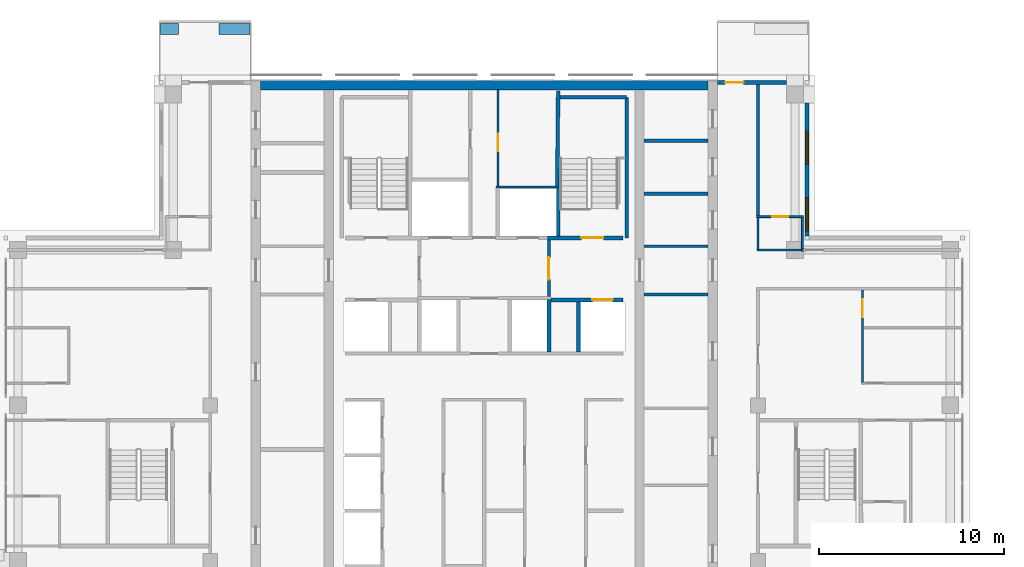
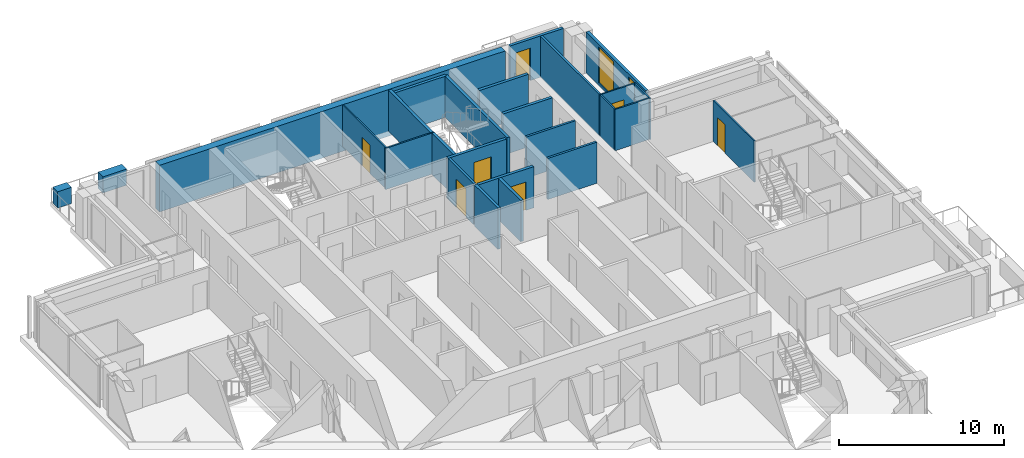
# One storey, part 14 of 18: 27 walls, 7 doors, 2 windows, 9 openings.
"""IFC4 building model written with IfcOpenShell, lengths in metres."""

import ifcopenshell
import ifcopenshell.guid

model = None  # the IFC model being written
_history = None  # IfcOwnerHistory: only IFC2X3 demands one
_inside = {}  # id of a spatial element -> (the spatial element, [elements in it])
_under = {}  # id of a project, library or spatial element -> (it, [spatial elements below it])
_declared = {}  # id of a project -> (the project, [libraries it declares])
_typed = {}  # id of a type object -> (the type object, [elements of that type])
_made_of = {}  # id of a material, layer set ... -> (it, [elements and type objects made of it])


def new_model(schema):
    """Start an empty IFC model of exactly this schema.

    Asked for "IFC4X3", IfcOpenShell would pick the latest addendum, in which some entities
    have other attributes; the version numbers below select the first issue.
    IFC2X3 requires an IfcOwnerHistory on every rooted entity: one is made here for all.
    """
    global model, _history
    if schema == "IFC4X3":
        model = ifcopenshell.file(schema_version=(4, 3, 0, 0))
    else:
        model = ifcopenshell.file(schema=schema)
    _inside.clear()
    _under.clear()
    _declared.clear()
    _typed.clear()
    _made_of.clear()
    _history = None
    if model.schema == "IFC2X3":
        org = make("IfcOrganization", Name="unknown")
        user = make(
            "IfcPersonAndOrganization",
            ThePerson=make("IfcPerson", FamilyName="unknown"),
            TheOrganization=org,
        )
        app = make(
            "IfcApplication",
            ApplicationDeveloper=org,
            Version="unknown",
            ApplicationFullName="unknown",
            ApplicationIdentifier="unknown",
        )
        _history = make(
            "IfcOwnerHistory",
            OwningUser=user,
            OwningApplication=app,
            ChangeAction="ADDED",
            CreationDate=0,
        )
    return model


def make(cls, **values):
    """One entity of the class cls with the attributes given. An attribute that is None is left unset."""
    return model.create_entity(
        cls, **{name: value for name, value in values.items() if value is not None}
    )


def rooted(cls, **values):
    """An entity with a GlobalId (a new one), such as an element, a storey or a relation."""
    return make(cls, GlobalId=ifcopenshell.guid.new(), OwnerHistory=_history, **values)


def si_unit(unit_type, name, prefix=None):
    """IfcSIUnit, for example si_unit("LENGTHUNIT", "METRE", prefix="MILLI")."""
    return make("IfcSIUnit", UnitType=unit_type, Prefix=prefix, Name=name)


def assignment(units):
    """IfcUnitAssignment: the units of a project."""
    return None if units is None else make("IfcUnitAssignment", Units=units)


def point(xyz):
    """IfcCartesianPoint."""
    return None if xyz is None else make("IfcCartesianPoint", Coordinates=xyz)


def direction(xyz):
    """IfcDirection."""
    return None if xyz is None else make("IfcDirection", DirectionRatios=xyz)


def frame(location, z_axis=None, x_axis=None):
    """IfcAxis2Placement3D, a coordinate frame: its origin and axes. An axis left out is left unset."""
    return make(
        "IfcAxis2Placement3D",
        Location=point(location),
        Axis=direction(z_axis),
        RefDirection=direction(x_axis),
    )


def frame_2d(location, x_axis=None):
    """IfcAxis2Placement2D, a coordinate frame in the plane: its origin and x axis."""
    return make(
        "IfcAxis2Placement2D", Location=point(location), RefDirection=direction(x_axis)
    )


def origin():
    """The frame at (0, 0, 0) with its axes left unset."""
    return frame((0.0, 0.0, 0.0))


def place(relative_to, where):
    """IfcLocalPlacement: puts the frame where relative to a parent placement (None: the world)."""
    return make(
        "IfcLocalPlacement", PlacementRelTo=relative_to, RelativePlacement=where
    )


def context(
    kind, dimensions, precision=None, world=None, true_north=None, identifier=None
):
    """IfcGeometricRepresentationContext, for example the 3D "Model" context."""
    return make(
        "IfcGeometricRepresentationContext",
        ContextIdentifier=identifier,
        ContextType=kind,
        CoordinateSpaceDimension=dimensions,
        Precision=precision,
        WorldCoordinateSystem=world,
        TrueNorth=true_north,
    )


def subcontext(parent, identifier, kind, view, scale=None):
    """IfcGeometricRepresentationSubContext, for example "Body" below "Model"."""
    return make(
        "IfcGeometricRepresentationSubContext",
        ContextIdentifier=identifier,
        ContextType=kind,
        ParentContext=parent,
        TargetScale=scale,
        TargetView=view,
    )


def project(units=None, contexts=None):
    """IfcProject with its units and contexts."""
    return rooted(
        "IfcProject",
        Name="project",
        RepresentationContexts=contexts,
        UnitsInContext=assignment(units),
    )


def spatial(cls, under=None, at=None, **own):
    """A site, building, storey or space (cls), placed at a placement, below another one or the project."""
    s = rooted(cls, ObjectPlacement=at, **own)
    if under is not None:
        _under.setdefault(under.id(), (under, []))[1].append(s)
    return s


def profile(cls, at=None, kind="AREA", **sizes):
    """A parametric profile (cls). Its sizes go by their IFC names, for example OverallWidth=200.0."""
    return make(cls, ProfileType=kind, Position=at, **sizes)


def rectangle(**sizes):
    """IfcRectangleProfileDef."""
    return profile("IfcRectangleProfileDef", **sizes)


def extrude(swept, where, along, depth):
    """IfcExtrudedAreaSolid: the profile swept, set in the frame where, extruded along a direction by depth."""
    return make(
        "IfcExtrudedAreaSolid",
        SweptArea=swept,
        Position=where,
        ExtrudedDirection=direction(along),
        Depth=depth,
    )


def shape(context_of_items, identifier, shape_type, items):
    """IfcShapeRepresentation: the items that make up one representation, for example the "Body"."""
    return make(
        "IfcShapeRepresentation",
        ContextOfItems=context_of_items,
        RepresentationIdentifier=identifier,
        RepresentationType=shape_type,
        Items=items,
    )


def material(Name=None, Category=None):
    """IfcMaterial."""
    return make("IfcMaterial", Name=Name, Category=Category)


def layer(
    of_material, thickness, ventilated=None, Name=None, Category=None, Priority=None
):
    """IfcMaterialLayer: one layer of a wall or slab, of a material (None: an air gap)."""
    return make(
        "IfcMaterialLayer",
        Material=of_material,
        LayerThickness=thickness,
        IsVentilated=ventilated,
        Name=Name,
        Category=Category,
        Priority=Priority,
    )


def layer_set(layers, Name=None):
    """IfcMaterialLayerSet."""
    return make("IfcMaterialLayerSet", MaterialLayers=layers, LayerSetName=Name)


def made_of(thing, what):
    """Note that an element or type object is made of a material, layer set ...; save() writes the relation."""
    if what is not None:
        _made_of.setdefault(what.id(), (what, []))[1].append(thing)
    return thing


def type_object(cls, material=None, **own):
    """A type object (cls), such as IfcWallType, which elements share."""
    return made_of(rooted(cls, **own), material)


def element(
    cls,
    number,
    at=None,
    inside=None,
    cuts=None,
    type_object=None,
    material=None,
    context=None,
    identifier="Body",
    shape_type=None,
    held_by="IfcProductDefinitionShape",
    body=None,
    shapes=None,
    **own,
):
    """One element of the class cls, such as IfcWall. Its Tag is "e" and its number.

    at: its placement. inside: the storey or other place that contains it. cuts: it is an
    opening in that element (IfcRelVoidsElement). A single representation is given by context,
    identifier, shape_type and body (its items); several are given by shapes. held_by: the class
    of the entity that holds the representations. save() writes the other relations.
    """
    e = rooted(cls, Tag="e%d" % number, ObjectPlacement=at, **own)
    if body is not None:
        shapes = [shape(context, identifier, shape_type, body)]
    if shapes is not None:
        e.Representation = make(held_by, Representations=shapes)
    if inside is not None:
        _inside.setdefault(inside.id(), (inside, []))[1].append(e)
    if cuts is not None:
        rooted(
            "IfcRelVoidsElement", RelatingBuildingElement=cuts, RelatedOpeningElement=e
        )
    if type_object is not None:
        _typed.setdefault(type_object.id(), (type_object, []))[1].append(e)
    return made_of(e, material)


def fill(opening, filler):
    """IfcRelFillsElement: the door or window that sits in an opening."""
    return rooted(
        "IfcRelFillsElement",
        RelatingOpeningElement=opening,
        RelatedBuildingElement=filler,
    )


def aggregate(whole, parts):
    """IfcRelAggregates: a whole, such as a stair, and the parts it consists of."""
    return rooted("IfcRelAggregates", RelatingObject=whole, RelatedObjects=parts)


def save(model, path):
    """Write the relations noted so far, then the file.

    IfcRelAggregates (storeys below a building ...), IfcRelContainedInSpatialStructure (elements
    in a storey), IfcRelDefinesByType, IfcRelAssociatesMaterial and IfcRelDeclares: one each for
    every whole, place, type object, material and project.
    """
    for whole, parts in _under.values():
        aggregate(whole, parts)
    for where, things in _inside.values():
        rooted(
            "IfcRelContainedInSpatialStructure",
            RelatedElements=things,
            RelatingStructure=where,
        )
    for kind, things in _typed.values():
        rooted("IfcRelDefinesByType", RelatedObjects=things, RelatingType=kind)
    for what, things in _made_of.values():
        rooted("IfcRelAssociatesMaterial", RelatedObjects=things, RelatingMaterial=what)
    for by, libraries in _declared.values():
        rooted("IfcRelDeclares", RelatingContext=by, RelatedDefinitions=libraries)
    model.write(path)


model = new_model("IFC4")

# Units and contexts
model_context = context("Model", 3, precision=1e-05, world=origin(), true_north=direction((0.0, 1.0)))
body_context = subcontext(model_context, "Body", "Model", "MODEL_VIEW")
ifc_project = project(units=[si_unit("LENGTHUNIT", "METRE"), si_unit("AREAUNIT", "SQUARE_METRE"), si_unit("VOLUMEUNIT", "CUBIC_METRE"), si_unit("PLANEANGLEUNIT", "RADIAN"), si_unit("MASSUNIT", "GRAM", prefix="KILO")], contexts=[model_context])

# Site, building, storey
site_placement = place(None, origin())
site = spatial("IfcSite", under=ifc_project, at=site_placement, CompositionType="ELEMENT")
building_placement = place(site_placement, origin())
building = spatial("IfcBuilding", under=site, at=building_placement, Name="Vermilion Ogive Tower", CompositionType="ELEMENT")
storey_placement = place(building_placement, frame((0.0, 0.0, 230.35009765625)))
storey = spatial("IfcBuildingStorey", under=building, at=storey_placement, Name="L60", CompositionType="ELEMENT", Elevation=230.35009765625)

# Walls
ifc_material_1 = material(Name="Concrete B60", Category="concrete")
ifc_layer_1 = layer(ifc_material_1, 0.5)
ifc_layer_set_1 = layer_set([ifc_layer_1], Name="Core wall 500 B60")
wall_type_1 = type_object("IfcWallType", Name="Core wall 500 B60", PredefinedType="SHEAR", material=ifc_layer_set_1)
wall_1_placement = place(storey_placement, frame((-12.10009765625, 21.5, -0.400146484375), z_axis=(0.0, 0.0, 1.0), x_axis=(1.0, 0.0, 0.0)))
element("IfcWall", 1, at=wall_1_placement, inside=storey, type_object=wall_type_1, Name="L60-CORE-N", PredefinedType="SHEAR", context=body_context, shape_type="SweptSolid", body=[
    extrude(rectangle(XDim=24.2001953125, YDim=0.5, at=frame_2d((12.10009765625, 0.0))), origin(), (0.0, 0.0, 1.0), 3.449951171875),
])
ifc_material_2 = material(Name="Gypsum board partition on steel studs", Category="steel")
ifc_layer_2 = layer(ifc_material_2, 0.10009765625)
ifc_layer_set_2 = layer_set([ifc_layer_2], Name="Partition 100 bath")
wall_type_2 = type_object("IfcWallType", Name="Partition 100 bath", PredefinedType="PARTITIONING", material=ifc_layer_set_2)
wall_2_placement = place(storey_placement, frame((14.75, 12.60009765625, 0.0), z_axis=(0.0, 0.0, 1.0), x_axis=(1.0, 0.0, 0.0)))
element("IfcWall", 2, at=wall_2_placement, inside=storey, type_object=wall_type_2, Name="L60-W-W035", PredefinedType="PARTITIONING", context=body_context, shape_type="SweptSolid", body=[
    extrude(rectangle(XDim=2.5, YDim=0.10009765625, at=frame_2d((1.25, 0.0))), origin(), (0.0, 0.0, 1.0), 3.0498046875),
])

# Wall, opening, door
wall_3_placement = place(storey_placement, frame((14.72509765625, 14.39990234375, 0.0), z_axis=(0.0, 0.0, 1.0), x_axis=(1.0, 0.0, 0.0)))
wall_3 = element("IfcWall", 3, at=wall_3_placement, inside=storey, type_object=wall_type_2, Name="L60-W-W038", PredefinedType="PARTITIONING", context=body_context, shape_type="SweptSolid", body=[
    extrude(rectangle(XDim=2.52490234375, YDim=0.10009765625, at=frame_2d((1.262451171875, 0.0))), origin(), (0.0, 0.0, 1.0), 3.0498046875),
])
opening_1_placement = place(wall_3_placement, frame((0.849853515625, 0.0, 0.0)))
opening_1 = element("IfcOpeningElement", 4, at=opening_1_placement, cuts=wall_3, Name="Opening D5G1022", PredefinedType="OPENING", context=body_context, shape_type="SweptSolid", body=[
    extrude(rectangle(XDim=0.85009765625, YDim=2.10009765625, at=frame_2d((0.425048828125, 1.050048828125))), frame((0.0, 0.06005859375, 0.0), z_axis=(0.0, -1.0, 0.0), x_axis=(1.0, 0.0, 0.0)), (0.0, 0.0, 1.0), 0.1201171875),
])
ifc_material_3 = material(Name="Timber door leaf", Category="wood")
door_type_1 = type_object("IfcDoorType", Name="Bath door 850 x 2100 FD30", OperationType="SINGLE_SWING_LEFT", PredefinedType="DOOR", material=ifc_material_3)
door_1_placement = place(opening_1_placement, origin())
door_1 = element("IfcDoor", 5, at=door_1_placement, inside=storey, type_object=door_type_1, Name="L60-D-D022", OperationType="SINGLE_SWING_RIGHT", OverallHeight=2.10009765625, OverallWidth=0.85009765625, PredefinedType="DOOR", context=body_context, shape_type="SweptSolid", body=[
    extrude(rectangle(XDim=0.85009765625, YDim=2.10009765625, at=frame_2d((0.425048828125, 1.050048828125))), frame((0.0, 0.02490234375, 0.0), z_axis=(0.0, -1.0, 0.0), x_axis=(1.0, 0.0, 0.0)), (0.0, 0.0, 1.0), 0.050048828125),
])
fill(opening_1, door_1)

# Walls
wall_4_placement = place(storey_placement, frame((14.800048828125, 12.64990234375, 0.0), z_axis=(0.0, 0.0, 1.0), x_axis=(0.0, 1.0, 0.0)))
element("IfcWall", 6, at=wall_4_placement, inside=storey, type_object=wall_type_2, Name="L60-W-W058", PredefinedType="PARTITIONING", context=body_context, shape_type="SweptSolid", body=[
    extrude(rectangle(XDim=1.7001953125, YDim=0.10009765625, at=frame_2d((0.85009765625, 0.0))), origin(), (0.0, 0.0, 1.0), 3.0498046875),
])
wall_5_placement = place(storey_placement, frame((17.199951171875, 12.675048828125, 0.0), z_axis=(0.0, 0.0, 1.0), x_axis=(0.0, 1.0, 0.0)))
element("IfcWall", 7, at=wall_5_placement, inside=storey, type_object=wall_type_2, Name="L60-W-W062", PredefinedType="PARTITIONING", context=body_context, shape_type="SweptSolid", body=[
    extrude(rectangle(XDim=1.675048828125, YDim=0.10009765625, at=frame_2d((0.83740234375, 0.0))), origin(), (0.0, 0.0, 1.0), 3.0498046875),
])
wall_6_placement = place(storey_placement, frame((0.64990234375, 16.0, 0.0), z_axis=(0.0, 0.0, 1.0), x_axis=(1.0, 0.0, 0.0)))
element("IfcWall", 8, at=wall_6_placement, inside=storey, type_object=wall_type_2, Name="L60-CK-W-W017", PredefinedType="PARTITIONING", context=body_context, shape_type="SweptSolid", body=[
    extrude(rectangle(XDim=3.4501953125, YDim=0.10009765625, at=frame_2d((1.72509765625, 0.0))), origin(), (0.0, 0.0, 1.0), 3.0498046875),
])

# Wall, opening, door
wall_7_placement = place(storey_placement, frame((0.75, 16.050048828125, 0.0), z_axis=(0.0, 0.0, 1.0), x_axis=(0.0, 1.0, 0.0)))
wall_7 = element("IfcWall", 9, at=wall_7_placement, inside=storey, type_object=wall_type_2, Name="L60-CK-W-W029", PredefinedType="PARTITIONING", context=body_context, shape_type="SweptSolid", body=[
    extrude(rectangle(XDim=5.198974609375, YDim=0.10009765625, at=frame_2d((2.599609375, 0.0))), origin(), (0.0, 0.0, 1.0), 3.0498046875),
])
opening_2_placement = place(wall_7_placement, frame((1.875, 0.0, 0.0)))
opening_2 = element("IfcOpeningElement", 10, at=opening_2_placement, cuts=wall_7, Name="Opening DAA549", PredefinedType="OPENING", context=body_context, shape_type="SweptSolid", body=[
    extrude(rectangle(XDim=0.949951171875, YDim=2.10009765625, at=frame_2d((0.47509765625, 1.050048828125))), frame((0.0, 0.06005859375, 0.0), z_axis=(0.0, -1.0, 0.0), x_axis=(1.0, 0.0, 0.0)), (0.0, 0.0, 1.0), 0.1201171875),
])
ifc_material_4 = material(Name="Timber door leaf", Category="wood")
door_type_2 = type_object("IfcDoorType", Name="Service door 950 x 2100 FD60", OperationType="SINGLE_SWING_LEFT", PredefinedType="DOOR", material=ifc_material_4)
door_2_placement = place(opening_2_placement, origin())
door_2 = element("IfcDoor", 11, at=door_2_placement, inside=storey, type_object=door_type_2, Name="L60-CK-D-D021", OperationType="SINGLE_SWING_LEFT", OverallHeight=2.10009765625, OverallWidth=0.949951171875, PredefinedType="DOOR", context=body_context, shape_type="SweptSolid", body=[
    extrude(rectangle(XDim=0.949951171875, YDim=2.10009765625, at=frame_2d((0.47509765625, 1.050048828125))), frame((0.0, 0.02490234375, 0.0), z_axis=(0.0, -1.0, 0.0), x_axis=(1.0, 0.0, 0.0)), (0.0, 0.0, 1.0), 0.050048828125),
])
fill(opening_2, door_2)

ifc_material_5 = material(Name="Gypsum board partition on steel studs", Category="steel")
ifc_layer_3 = layer(ifc_material_5, 0.10009765625)
ifc_layer_set_3 = layer_set([ifc_layer_3], Name="Partition 100 inner")
wall_type_3 = type_object("IfcWallType", Name="Partition 100 inner", PredefinedType="PARTITIONING", material=ifc_layer_set_3)
wall_8_placement = place(storey_placement, frame((20.449951171875, 5.449951171875, 0.0), z_axis=(0.0, 0.0, 1.0), x_axis=(0.0, 1.0, 0.0)))
wall_8 = element("IfcWall", 12, at=wall_8_placement, inside=storey, type_object=wall_type_3, Name="L60-W-W065", PredefinedType="PARTITIONING", context=body_context, shape_type="SweptSolid", body=[
    extrude(rectangle(XDim=4.97509765625, YDim=0.10009765625, at=frame_2d((2.487548828125, 0.0))), origin(), (0.0, 0.0, 1.0), 3.0498046875),
])
opening_3_placement = place(wall_8_placement, frame((3.525146484375, 0.0, 0.0)))
opening_3 = element("IfcOpeningElement", 13, at=opening_3_placement, cuts=wall_8, Name="Opening D5G1017", PredefinedType="OPENING", context=body_context, shape_type="SweptSolid", body=[
    extrude(rectangle(XDim=0.949951171875, YDim=2.10009765625, at=frame_2d((0.47509765625, 1.050048828125))), frame((0.0, 0.06005859375, 0.0), z_axis=(0.0, -1.0, 0.0), x_axis=(1.0, 0.0, 0.0)), (0.0, 0.0, 1.0), 0.1201171875),
])
ifc_material_6 = material(Name="Timber door leaf", Category="wood")
door_type_3 = type_object("IfcDoorType", Name="Inner door 950 x 2100 FD30", OperationType="SINGLE_SWING_LEFT", PredefinedType="DOOR", material=ifc_material_6)
door_3_placement = place(opening_3_placement, origin())
door_3 = element("IfcDoor", 14, at=door_3_placement, inside=storey, type_object=door_type_3, Name="L60-D-D017", OperationType="SINGLE_SWING_RIGHT", OverallHeight=2.10009765625, OverallWidth=0.949951171875, PredefinedType="DOOR", context=body_context, shape_type="SweptSolid", body=[
    extrude(rectangle(XDim=0.949951171875, YDim=2.10009765625, at=frame_2d((0.47509765625, 1.050048828125))), frame((0.0, 0.02490234375, 0.0), z_axis=(0.0, -1.0, 0.0), x_axis=(1.0, 0.0, 0.0)), (0.0, 0.0, 1.0), 0.050048828125),
])
fill(opening_3, door_3)

# Walls
ifc_material_7 = material(Name="Gypsum board partition on steel studs", Category="steel")
ifc_layer_4 = layer(ifc_material_7, 0.14990234375)
ifc_layer_set_4 = layer_set([ifc_layer_4], Name="Partition 150 corridor")
wall_type_4 = type_object("IfcWallType", Name="Partition 150 corridor", PredefinedType="PARTITIONING", material=ifc_layer_set_4)
wall_9_placement = place(storey_placement, frame((17.14990234375, 12.60009765625, 0.0), z_axis=(0.0, 0.0, 1.0), x_axis=(1.0, 0.0, 0.0)))
element("IfcWall", 15, at=wall_9_placement, inside=storey, type_object=wall_type_4, Name="L60-W-W036", PredefinedType="PARTITIONING", context=body_context, shape_type="SweptSolid", body=[
    extrude(rectangle(XDim=0.10009765625, YDim=0.14990234375, at=frame_2d((0.050048828125, 0.0))), origin(), (0.0, 0.0, 1.0), 3.0498046875),
])
wall_10_placement = place(storey_placement, frame((14.800048828125, 14.449951171875, 0.0), z_axis=(0.0, 0.0, 1.0), x_axis=(0.0, 1.0, 0.0)))
element("IfcWall", 16, at=wall_10_placement, inside=storey, type_object=wall_type_4, Name="L60-W-W059", PredefinedType="PARTITIONING", context=body_context, shape_type="SweptSolid", body=[
    extrude(rectangle(XDim=7.10009765625, YDim=0.14990234375, at=frame_2d((3.550048828125, 0.0))), origin(), (0.0, 0.0, 1.0), 3.0498046875),
])

# Wall, opening, door
wall_11_placement = place(storey_placement, frame((3.5, 10.074951171875, 0.0), z_axis=(0.0, 0.0, 1.0), x_axis=(0.0, 1.0, 0.0)))
wall_11 = element("IfcWall", 17, at=wall_11_placement, inside=storey, type_object=wall_type_4, Name="L60-CK-W-W033", PredefinedType="PARTITIONING", context=body_context, shape_type="SweptSolid", body=[
    extrude(rectangle(XDim=3.074951171875, YDim=0.14990234375, at=frame_2d((1.53759765625, 0.0))), origin(), (0.0, 0.0, 1.0), 3.0498046875),
])
opening_4_placement = place(wall_11_placement, frame((0.925048828125, 0.0, 0.0)))
opening_4 = element("IfcOpeningElement", 18, at=opening_4_placement, cuts=wall_11, Name="Opening DAA539", PredefinedType="OPENING", context=body_context, shape_type="SweptSolid", body=[
    extrude(rectangle(XDim=1.199951171875, YDim=2.10009765625, at=frame_2d((0.60009765625, 1.050048828125))), frame((0.0, 0.0849609375, 0.0), z_axis=(0.0, -1.0, 0.0), x_axis=(1.0, 0.0, 0.0)), (0.0, 0.0, 1.0), 0.169921875),
])
ifc_material_8 = material(Name="Timber door leaf", Category="wood")
door_type_4 = type_object("IfcDoorType", Name="Lobby door 1200 x 2100 FD60S", OperationType="SINGLE_SWING_LEFT", PredefinedType="DOOR", material=ifc_material_8)
door_4_placement = place(opening_4_placement, origin())
door_4 = element("IfcDoor", 19, at=door_4_placement, inside=storey, type_object=door_type_4, Name="L60-CK-D-D023", OperationType="SINGLE_SWING_LEFT", OverallHeight=2.10009765625, OverallWidth=1.199951171875, PredefinedType="DOOR", context=body_context, shape_type="SweptSolid", body=[
    extrude(rectangle(XDim=1.199951171875, YDim=2.10009765625, at=frame_2d((0.60009765625, 1.050048828125))), frame((0.0, 0.02490234375, 0.0), z_axis=(0.0, -1.0, 0.0), x_axis=(1.0, 0.0, 0.0)), (0.0, 0.0, 1.0), 0.050048828125),
])
fill(opening_4, door_4)

# Walls
for number, where, z_axis, x_axis, name in (
    (20, (8.65087890625, 10.199951171875, 0.0), (0.0, 0.0, 1.0), (1.0, 0.0, 0.0), "L60-CKE-W-W003"),
    (21, (8.65087890625, 12.800048828125, 0.0), (0.0, 0.0, 1.0), (1.0, 0.0, 0.0), "L60-CKE-W-W004"),
):
    element("IfcWall", number, at=place(storey_placement, frame(where, z_axis=z_axis, x_axis=x_axis)), inside=storey, type_object=wall_type_4, Name=name, PredefinedType="PARTITIONING", context=body_context, shape_type="SweptSolid", body=[
        extrude(rectangle(XDim=3.4482421875, YDim=0.14990234375, at=frame_2d((1.72412109375, 0.0))), origin(), (0.0, 0.0, 1.0), 3.0498046875),
    ])

# Wall, opening, door
ifc_material_9 = material(Name="Gypsum board partition on steel studs", Category="steel")
ifc_layer_5 = layer(ifc_material_9, 0.199951171875)
ifc_layer_set_5 = layer_set([ifc_layer_5], Name="Partition 200 party")
wall_type_5 = type_object("IfcWallType", Name="Partition 200 party", PredefinedType="PARTITIONING", material=ifc_layer_set_5)
wall_12_placement = place(storey_placement, frame((3.60009765625, 9.89990234375, 0.0), z_axis=(0.0, 0.0, 1.0), x_axis=(1.0, 0.0, 0.0)))
wall_12 = element("IfcWall", 22, at=wall_12_placement, inside=storey, type_object=wall_type_5, Name="L60-CK-W-W012", PredefinedType="PARTITIONING", context=body_context, shape_type="SweptSolid", body=[
    extrude(rectangle(XDim=3.89990234375, YDim=0.199951171875, at=frame_2d((1.949951171875, 0.0))), origin(), (0.0, 0.0, 1.0), 3.0498046875),
])
opening_5_placement = place(wall_12_placement, frame((2.25, 0.0, 0.0)))
opening_5 = element("IfcOpeningElement", 23, at=opening_5_placement, cuts=wall_12, Name="Opening DAA558", PredefinedType="OPENING", context=body_context, shape_type="SweptSolid", body=[
    extrude(rectangle(XDim=1.10009765625, YDim=2.10009765625, at=frame_2d((0.550048828125, 1.050048828125))), frame((0.0, 0.10986328125, 0.0), z_axis=(0.0, -1.0, 0.0), x_axis=(1.0, 0.0, 0.0)), (0.0, 0.0, 1.0), 0.219970703125),
])
ifc_material_10 = material(Name="Stainless steel", Category="steel")
door_type_5 = type_object("IfcDoorType", Name="Lift landing door 1100 x 2100", OperationType="SLIDING_TO_LEFT", PredefinedType="DOOR", material=ifc_material_10)
door_5_placement = place(opening_5_placement, origin())
door_5 = element("IfcDoor", 24, at=door_5_placement, inside=storey, type_object=door_type_5, Name="L60-CK-D-D014", OperationType="SLIDING_TO_LEFT", OverallHeight=2.10009765625, OverallWidth=1.10009765625, PredefinedType="DOOR", context=body_context, shape_type="SweptSolid", body=[
    extrude(rectangle(XDim=1.10009765625, YDim=2.10009765625, at=frame_2d((0.550048828125, 1.050048828125))), frame((0.0, 0.02490234375, 0.0), z_axis=(0.0, -1.0, 0.0), x_axis=(1.0, 0.0, 0.0)), (0.0, 0.0, 1.0), 0.050048828125),
])
fill(opening_5, door_5)

# Walls
wall_13_placement = place(storey_placement, frame((3.5, 7.074951171875, 0.0), z_axis=(0.0, 0.0, 1.0), x_axis=(0.0, 1.0, 0.0)))
element("IfcWall", 25, at=wall_13_placement, inside=storey, type_object=wall_type_5, Name="L60-CK-W-W032", PredefinedType="PARTITIONING", context=body_context, shape_type="SweptSolid", body=[
    extrude(rectangle(XDim=2.85009765625, YDim=0.199951171875, at=frame_2d((1.425048828125, 0.0))), origin(), (0.0, 0.0, 1.0), 3.0498046875),
])
wall_14_placement = place(storey_placement, frame((5.10009765625, 7.074951171875, 0.0), z_axis=(0.0, 0.0, 1.0), x_axis=(0.0, 1.0, 0.0)))
element("IfcWall", 26, at=wall_14_placement, inside=storey, type_object=wall_type_5, Name="L60-CK-W-W036", PredefinedType="PARTITIONING", context=body_context, shape_type="SweptSolid", body=[
    extrude(rectangle(XDim=2.72509765625, YDim=0.199951171875, at=frame_2d((1.362548828125, 0.0))), origin(), (0.0, 0.0, 1.0), 3.0498046875),
])
for number, where, z_axis, x_axis, name in (
    (27, (8.65087890625, 15.636962890625, 0.0), (0.0, 0.0, 1.0), (1.0, 0.0, 0.0), "L60-CKE-W-W005"),
    (28, (8.65087890625, 18.509033203125, 0.0), (0.0, 0.0, 1.0), (1.0, 0.0, 0.0), "L60-CKE-W-W006"),
):
    element("IfcWall", number, at=place(storey_placement, frame(where, z_axis=z_axis, x_axis=x_axis)), inside=storey, type_object=wall_type_5, Name=name, PredefinedType="PARTITIONING", context=body_context, shape_type="SweptSolid", body=[
        extrude(rectangle(XDim=3.4482421875, YDim=0.199951171875, at=frame_2d((1.72412109375, 0.0))), origin(), (0.0, 0.0, 1.0), 3.0498046875),
    ])

# Wall, opening, door
ifc_material_11 = material(Name="Concrete B60", Category="concrete")
ifc_layer_6 = layer(ifc_material_11, 0.199951171875)
ifc_layer_set_6 = layer_set([ifc_layer_6], Name="Stair shaft wall 200 Concrete B60")
wall_type_6 = type_object("IfcWallType", Name="Stair shaft wall 200 Concrete B60", PredefinedType="SOLIDWALL", material=ifc_layer_set_6)
wall_15_placement = place(storey_placement, frame((3.425048828125, 13.25, 0.0), z_axis=(0.0, 0.0, 1.0), x_axis=(1.0, 0.0, 0.0)))
wall_15 = element("IfcWall", 29, at=wall_15_placement, inside=storey, type_object=wall_type_6, Name="L60-CK-W-W016", PredefinedType="SOLIDWALL", context=body_context, shape_type="SweptSolid", body=[
    extrude(rectangle(XDim=4.074951171875, YDim=0.199951171875, at=frame_2d((2.03759765625, 0.0))), origin(), (0.0, 0.0, 1.0), 3.0498046875),
])
opening_6_placement = place(wall_15_placement, frame((1.824951171875, 0.0, 0.0)))
opening_6 = element("IfcOpeningElement", 30, at=opening_6_placement, cuts=wall_15, Name="Opening DAA551", PredefinedType="OPENING", context=body_context, shape_type="SweptSolid", body=[
    extrude(rectangle(XDim=1.199951171875, YDim=2.10009765625, at=frame_2d((0.60009765625, 1.050048828125))), frame((0.0, 0.10986328125, 0.0), z_axis=(0.0, -1.0, 0.0), x_axis=(1.0, 0.0, 0.0)), (0.0, 0.0, 1.0), 0.219970703125),
])
ifc_material_12 = material(Name="Timber door leaf", Category="wood")
door_type_6 = type_object("IfcDoorType", Name="Stair door 1200 x 2100 FD60S", OperationType="SINGLE_SWING_LEFT", PredefinedType="DOOR", material=ifc_material_12)
door_6_placement = place(opening_6_placement, origin())
door_6 = element("IfcDoor", 31, at=door_6_placement, inside=storey, type_object=door_type_6, Name="L60-CK-D-D013", OperationType="SINGLE_SWING_RIGHT", OverallHeight=2.10009765625, OverallWidth=1.199951171875, PredefinedType="DOOR", context=body_context, shape_type="SweptSolid", body=[
    extrude(rectangle(XDim=1.199951171875, YDim=2.10009765625, at=frame_2d((0.60009765625, 1.050048828125))), frame((0.0, 0.02490234375, 0.0), z_axis=(0.0, -1.0, 0.0), x_axis=(1.0, 0.0, 0.0)), (0.0, 0.0, 1.0), 0.050048828125),
])
fill(opening_6, door_6)

# Walls
wall_16_placement = place(storey_placement, frame((4.0, 13.35009765625, 0.0), z_axis=(0.0, 0.0, 1.0), x_axis=(0.0, 1.0, 0.0)))
element("IfcWall", 32, at=wall_16_placement, inside=storey, type_object=wall_type_6, Name="L60-CK-W-W034", PredefinedType="SOLIDWALL", context=body_context, shape_type="SweptSolid", body=[
    extrude(rectangle(XDim=2.599853515625, YDim=0.199951171875, at=frame_2d((1.2998046875, 0.0))), origin(), (0.0, 0.0, 1.0), 3.0498046875),
])
wall_17_placement = place(storey_placement, frame((3.949951171875, 16.050048828125, 0.0), z_axis=(0.0, 0.0, 1.0), x_axis=(0.009719787395, 0.999952761751, 0.0)))
element("IfcWall", 33, at=wall_17_placement, inside=storey, type_object=wall_type_6, Name="L60-CK-W-W035", PredefinedType="SOLIDWALL", context=body_context, shape_type="SweptSolid", body=[
    extrude(rectangle(XDim=5.149169921875, YDim=0.199951171875, at=frame_2d((2.57470703125, 0.0))), origin(), (0.0, 0.0, 1.0), 3.0498046875),
])
wall_18_placement = place(storey_placement, frame((7.699951171875, 13.25, 0.0), z_axis=(0.0, 0.0, 1.0), x_axis=(0.0, 1.0, 0.0)))
element("IfcWall", 34, at=wall_18_placement, inside=storey, type_object=wall_type_6, Name="L60-SW-R019-E1", PredefinedType="SOLIDWALL", context=body_context, shape_type="SweptSolid", body=[
    extrude(rectangle(XDim=7.60009765625, YDim=0.199951171875, at=frame_2d((3.800048828125, 0.0))), origin(), (0.0, 0.0, 1.0), 3.0498046875),
])
wall_19_placement = place(storey_placement, frame((4.10009765625, 20.85009765625, 0.0), z_axis=(0.0, 0.0, 1.0), x_axis=(1.0, 0.0, 0.0)))
element("IfcWall", 35, at=wall_19_placement, inside=storey, type_object=wall_type_6, Name="L60-SW-R019-N1", PredefinedType="SOLIDWALL", context=body_context, shape_type="SweptSolid", body=[
    extrude(rectangle(XDim=3.599853515625, YDim=0.199951171875, at=frame_2d((1.7998046875, 0.0))), origin(), (0.0, 0.0, 1.0), 3.0498046875),
])
ifc_material_13 = material(Name="Concrete B40", Category="concrete")
ifc_layer_7 = layer(ifc_material_13, 0.60009765625)
ifc_layer_set_7 = layer_set([ifc_layer_7], Name="Structural planter")
wall_type_7 = type_object("IfcWallType", Name="Structural planter", PredefinedType="USERDEFINED", material=ifc_layer_set_7)
wall_20_placement = place(storey_placement, frame((-12.659912109375, 24.550048828125, -0.0400390625), z_axis=(0.0, 0.0, 1.0), x_axis=(-1.0, 0.0, 0.0)))
element("IfcWall", 36, at=wall_20_placement, inside=storey, type_object=wall_type_7, Name="Planter N201A1", ObjectType="PLANTER", PredefinedType="USERDEFINED", context=body_context, shape_type="SweptSolid", body=[
    extrude(rectangle(XDim=1.6650390625, YDim=0.60009765625, at=frame_2d((0.83251953125, 0.0))), origin(), (0.0, 0.0, 1.0), 1.199951171875),
])
wall_21_placement = place(storey_placement, frame((-16.52490234375, 24.550048828125, -0.0400390625), z_axis=(0.0, 0.0, 1.0), x_axis=(-1.0, 0.0, 0.0)))
element("IfcWall", 37, at=wall_21_placement, inside=storey, type_object=wall_type_7, Name="Planter N201A2", ObjectType="PLANTER", PredefinedType="USERDEFINED", context=body_context, shape_type="SweptSolid", body=[
    extrude(rectangle(XDim=0.965087890625, YDim=0.60009765625, at=frame_2d((0.482421875, 0.0))), origin(), (0.0, 0.0, 1.0), 1.199951171875),
])

# Wall, openings, windows
ifc_material_14 = material(Name="Aluminium window wall framing", Category="aluminium")
ifc_layer_8 = layer(ifc_material_14, 0.199951171875)
ifc_layer_set_8 = layer_set([ifc_layer_8], Name="Window wall")
wall_type_8 = type_object("IfcWallType", Name="Window wall", PredefinedType="STANDARD", material=ifc_layer_set_8)
wall_22_placement = place(storey_placement, frame((17.449951171875, 13.35009765625, 0.0), z_axis=(0.0, 0.0, 1.0), x_axis=(0.0, 1.0, 0.0)))
wall_22 = element("IfcWall", 38, at=wall_22_placement, inside=storey, type_object=wall_type_8, Name="Window wall X41", PredefinedType="STANDARD", context=body_context, shape_type="SweptSolid", body=[
    extrude(rectangle(XDim=7.199951171875, YDim=0.199951171875, at=frame_2d((3.60009765625, 0.0))), origin(), (0.0, 0.0, 1.0), 3.0498046875),
])
opening_7_placement = place(wall_22_placement, frame((0.27490234375, 0.0, 0.199951171875)))
opening_7 = element("IfcOpeningElement", 39, at=opening_7_placement, cuts=wall_22, Name="Opening W1-X403", PredefinedType="OPENING", context=body_context, shape_type="SweptSolid", body=[
    extrude(rectangle(XDim=1.800048828125, YDim=2.64990234375, at=frame_2d((0.89990234375, 1.324951171875))), frame((0.0, 0.10986328125, 0.0), z_axis=(0.0, -1.0, 0.0), x_axis=(1.0, 0.0, 0.0)), (0.0, 0.0, 1.0), 0.219970703125),
])
opening_8_placement = place(wall_22_placement, frame((3.875, 0.0, 0.199951171875)))
opening_8 = element("IfcOpeningElement", 40, at=opening_8_placement, cuts=wall_22, Name="Opening W1-X404", PredefinedType="OPENING", context=body_context, shape_type="SweptSolid", body=[
    extrude(rectangle(XDim=1.800048828125, YDim=2.64990234375, at=frame_2d((0.89990234375, 1.324951171875))), frame((0.0, 0.10986328125, 0.0), z_axis=(0.0, -1.0, 0.0), x_axis=(1.0, 0.0, 0.0)), (0.0, 0.0, 1.0), 0.219970703125),
])
ifc_material_15 = material(Name="Aluminium framed double glazing", Category="aluminium")
window_type = type_object("IfcWindowType", Name="Guest window W1", PartitioningType="SINGLE_PANEL", PredefinedType="WINDOW", material=ifc_material_15)
window_1_placement = place(opening_7_placement, origin())
window_1 = element("IfcWindow", 41, at=window_1_placement, inside=storey, type_object=window_type, Name="Window X403", OverallHeight=2.64990234375, OverallWidth=1.800048828125, PartitioningType="SINGLE_PANEL", PredefinedType="WINDOW", context=body_context, shape_type="SweptSolid", body=[
    extrude(rectangle(XDim=1.800048828125, YDim=2.64990234375, at=frame_2d((0.89990234375, 1.324951171875))), frame((0.0, 0.030029296875, 0.0), z_axis=(0.0, -1.0, 0.0), x_axis=(1.0, 0.0, 0.0)), (0.0, 0.0, 1.0), 0.06005859375),
])
fill(opening_7, window_1)
window_2_placement = place(opening_8_placement, origin())
window_2 = element("IfcWindow", 42, at=window_2_placement, inside=storey, type_object=window_type, Name="Window X404", OverallHeight=2.64990234375, OverallWidth=1.800048828125, PartitioningType="SINGLE_PANEL", PredefinedType="WINDOW", context=body_context, shape_type="SweptSolid", body=[
    extrude(rectangle(XDim=1.800048828125, YDim=2.64990234375, at=frame_2d((0.89990234375, 1.324951171875))), frame((0.0, 0.030029296875, 0.0), z_axis=(0.0, -1.0, 0.0), x_axis=(1.0, 0.0, 0.0)), (0.0, 0.0, 1.0), 0.06005859375),
])
fill(opening_8, window_2)

# Wall, opening, door
wall_23_placement = place(storey_placement, frame((16.35009765625, 21.64990234375, 0.0), z_axis=(0.0, 0.0, 1.0), x_axis=(-1.0, 0.0, 0.0)))
wall_23 = element("IfcWall", 43, at=wall_23_placement, inside=storey, type_object=wall_type_8, Name="Window wall N11", PredefinedType="STANDARD", context=body_context, shape_type="SweptSolid", body=[
    extrude(rectangle(XDim=3.75, YDim=0.199951171875, at=frame_2d((1.875, 0.0))), origin(), (0.0, 0.0, 1.0), 3.0498046875),
])
opening_9_placement = place(wall_23_placement, frame((2.324951171875, 0.0, 0.0)))
opening_9 = element("IfcOpeningElement", 44, at=opening_9_placement, cuts=wall_23, Name="Opening D1-N103", PredefinedType="OPENING", context=body_context, shape_type="SweptSolid", body=[
    extrude(rectangle(XDim=1.0, YDim=2.39990234375, at=frame_2d((0.5, 1.199951171875))), frame((0.0, 0.10986328125, 0.0), z_axis=(0.0, -1.0, 0.0), x_axis=(1.0, 0.0, 0.0)), (0.0, 0.0, 1.0), 0.219970703125),
])
ifc_material_16 = material(Name="Aluminium framed glazed door", Category="aluminium")
door_type_7 = type_object("IfcDoorType", Name="Balcony door D1", OperationType="SINGLE_SWING_LEFT", PredefinedType="DOOR", material=ifc_material_16)
door_7_placement = place(opening_9_placement, origin())
door_7 = element("IfcDoor", 45, at=door_7_placement, inside=storey, type_object=door_type_7, Name="Balcony door N103", OperationType="SINGLE_SWING_LEFT", OverallHeight=2.39990234375, OverallWidth=1.0, PredefinedType="DOOR", context=body_context, shape_type="SweptSolid", body=[
    extrude(rectangle(XDim=1.0, YDim=2.39990234375, at=frame_2d((0.5, 1.199951171875))), frame((0.0, 0.02490234375, 0.0), z_axis=(0.0, -1.0, 0.0), x_axis=(1.0, 0.0, 0.0)), (0.0, 0.0, 1.0), 0.050048828125),
])
fill(opening_9, door_7)

save(model, "model.ifc")
